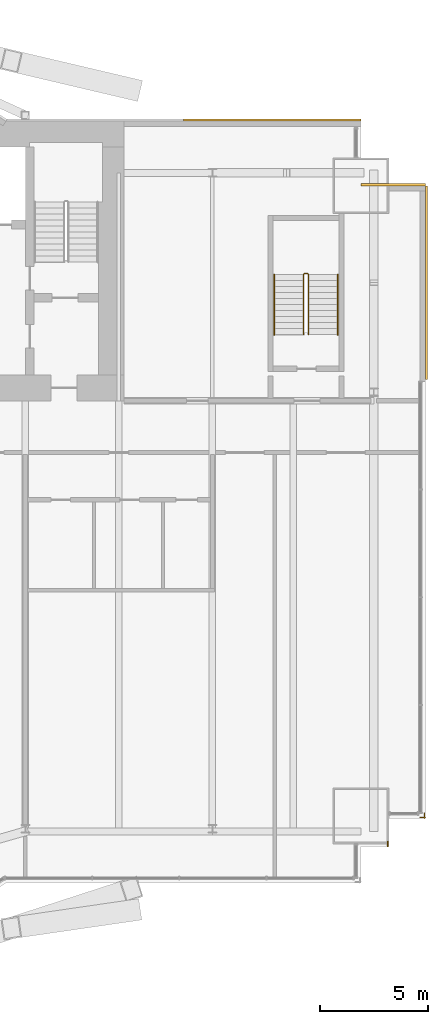
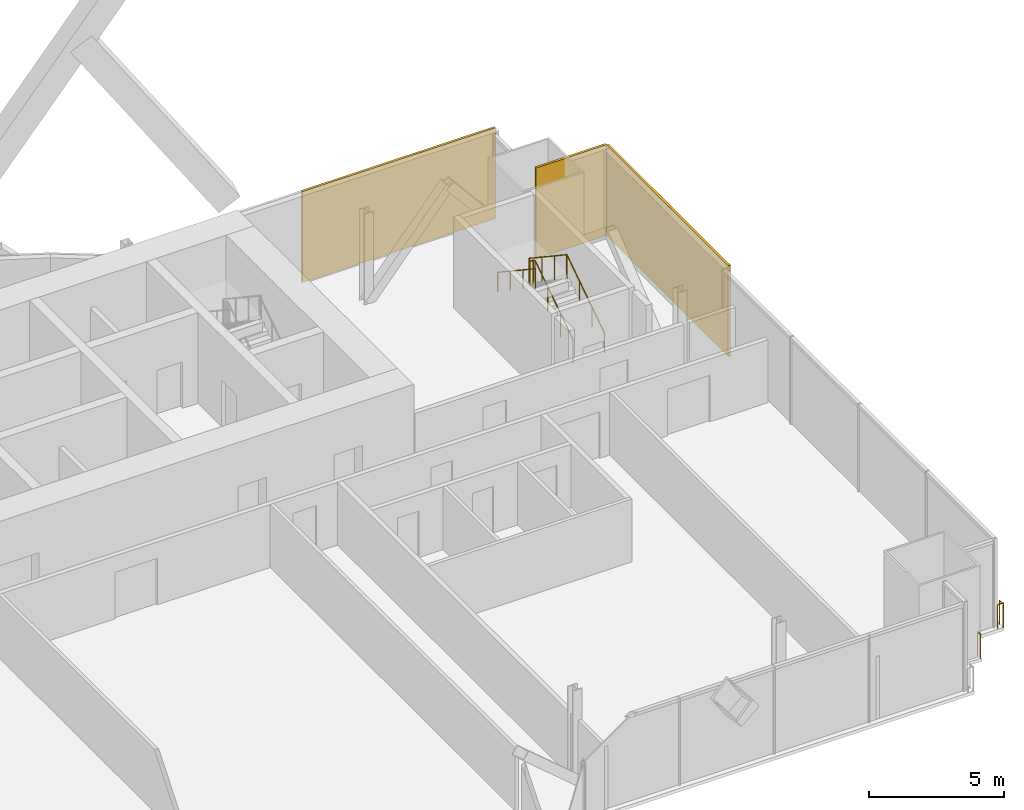
# One storey, part 23 of 23: 5 railings, 3 coverings.
"""IFC4 building model written with IfcOpenShell, lengths in metres."""

from ifc_helpers import new_model, si_unit, direction, frame, origin, origin_2d, place, context, subcontext, project, spatial, rectangle, circle, extrude, material, layer, layer_set, type_object, element, save


model = new_model("IFC4")

# Units and contexts
model_context = context("Model", 3, precision=1e-05, world=origin(), true_north=direction((0.0, 1.0)))
body_context = subcontext(model_context, "Body", "Model", "MODEL_VIEW")
ifc_project = project(units=[si_unit("LENGTHUNIT", "METRE"), si_unit("AREAUNIT", "SQUARE_METRE"), si_unit("VOLUMEUNIT", "CUBIC_METRE"), si_unit("PLANEANGLEUNIT", "RADIAN"), si_unit("MASSUNIT", "GRAM", prefix="KILO")], contexts=[model_context])

# Site, building, storey
site_placement = place(None, origin())
site = spatial("IfcSite", under=ifc_project, at=site_placement, CompositionType="ELEMENT")
building_placement = place(site_placement, origin())
building = spatial("IfcBuilding", under=site, at=building_placement, Name="Bicima Exchange Tower", CompositionType="ELEMENT")
storey_placement = place(building_placement, frame((0.0, 0.0, 152.699951171875)))
storey = spatial("IfcBuildingStorey", under=building, at=storey_placement, Name="L33", CompositionType="ELEMENT", Elevation=152.699951171875)

# Coverings
ifc_material_1 = material(Name="Bronze metal cladding")
ifc_layer_1 = layer(ifc_material_1, 0.004)
ifc_material_2 = material(Name="Ventilated cavity")
ifc_layer_2 = layer(ifc_material_2, 0.06)
ifc_material_3 = material(Name="Galvanised steel rail and mineral wool", Category="steel")
ifc_layer_3 = layer(ifc_material_3, 0.036)
ifc_layer_set = layer_set([ifc_layer_1, ifc_layer_2, ifc_layer_3], Name="Ventilated cavity")
covering_type = type_object("IfcCoveringType", Name="Bronze metal cladding panel 100", PredefinedType="CLADDING", material=ifc_layer_set)
covering_1_placement = place(storey_placement, frame((28.875, 0.050048828125, -0.14990234375), z_axis=(0.0, 0.0, 1.0), x_axis=(-1.0, 0.0, 0.0)))
element("IfcCovering", 1, at=covering_1_placement, inside=storey, type_object=covering_type, Name="Bronze cladding L33 1.1", PredefinedType="CLADDING", context=body_context, shape_type="SweptSolid", body=[
    extrude(rectangle(XDim=8.25, YDim=0.10009765625, at=origin_2d()), origin(), (0.0, 0.0, 1.0), 4.10009765625),
])
covering_2_placement = place(storey_placement, frame((36.050048828125, -7.5, -0.14990234375), z_axis=(0.0, 0.0, 1.0), x_axis=(0.0, 1.0, 0.0)))
element("IfcCovering", 2, at=covering_2_placement, inside=storey, type_object=covering_type, Name="Bronze cladding L33 50.1", PredefinedType="CLADDING", context=body_context, shape_type="SweptSolid", body=[
    extrude(rectangle(XDim=9.0, YDim=0.10009765625, at=origin_2d()), origin(), (0.0, 0.0, 1.0), 4.10009765625),
])
covering_3_placement = place(storey_placement, frame((34.5, -2.949951171875, -0.14990234375), z_axis=(0.0, 0.0, 1.0), x_axis=(-1.0, 0.0, 0.0)))
element("IfcCovering", 3, at=covering_3_placement, inside=storey, type_object=covering_type, Name="Bronze cladding L33 51.1", PredefinedType="CLADDING", context=body_context, shape_type="SweptSolid", body=[
    extrude(rectangle(XDim=3.0, YDim=0.10009765625, at=origin_2d()), origin(), (0.0, 0.0, 1.0), 4.10009765625),
])

# Railings
ifc_material_4 = material(Name="Stainless steel and bonded safety glass", Category="steel")
railing_type_1 = type_object("IfcRailingType", Name="Edge guard 1100", PredefinedType="GUARDRAIL", material=ifc_material_4)
railing_1_placement = place(storey_placement, frame((35.949951171875, -32.1630859375, 0.0)))
element("IfcRailing", 4, at=railing_1_placement, inside=storey, type_object=railing_type_1, Name="Edge guard L33 162", PredefinedType="GUARDRAIL", context=body_context, shape_type="SweptSolid", body=[
    extrude(circle(Radius=0.02392578125, at=origin_2d()), frame((0.0, 0.0, 1.076171875), z_axis=(0.0, -1.0, 0.0), x_axis=(1.0, 0.0, 0.0)), (0.0, 0.0, 1.0), 0.2490234375),
    extrude(circle(Radius=0.02392578125, at=origin_2d()), frame((0.0, -0.2490234375, 1.076171875), z_axis=(0.707106781187, 0.707106781187, 0.0), x_axis=(-0.707106781187, 0.707106781187, 0.0)), (0.0, 0.0, 1.0), 0.07080078125),
    extrude(circle(Radius=0.02392578125, at=origin_2d()), frame((0.050048828125, -0.198974609375, 1.076171875), z_axis=(-1.0, 0.0, 0.0), x_axis=(0.0, -1.0, 0.0)), (0.0, 0.0, 1.0), 0.242919921875),
    extrude(circle(Radius=0.02099609375, at=origin_2d()), origin(), (0.0, 0.0, 1.0), 1.052001953125),
    extrude(circle(Radius=0.02099609375, at=origin_2d()), frame((0.0, -0.2490234375, 0.0)), (0.0, 0.0, 1.0), 1.052001953125),
    extrude(circle(Radius=0.02099609375, at=origin_2d()), frame((0.050048828125, -0.198974609375, 0.0)), (0.0, 0.0, 1.0), 1.052001953125),
    extrude(circle(Radius=0.02099609375, at=origin_2d()), frame((-0.19287109375, -0.198974609375, 0.0)), (0.0, 0.0, 1.0), 1.052001953125),
])
railing_2_placement = place(storey_placement, frame((34.25, -33.4951171875, 0.0)))
element("IfcRailing", 5, at=railing_2_placement, inside=storey, type_object=railing_type_1, Name="Edge guard L33 163", PredefinedType="GUARDRAIL", context=body_context, shape_type="SweptSolid", body=[
    extrude(circle(Radius=0.02392578125, at=origin_2d()), frame((0.0, 0.0, 1.076171875), z_axis=(0.0, -1.0, 0.0), x_axis=(1.0, 0.0, 0.0)), (0.0, 0.0, 1.0), 0.216796875),
    extrude(circle(Radius=0.02099609375, at=origin_2d()), origin(), (0.0, 0.0, 1.0), 1.052001953125),
    extrude(circle(Radius=0.02099609375, at=origin_2d()), frame((0.0, -0.216796875, 0.0)), (0.0, 0.0, 1.0), 1.052001953125),
])
ifc_material_5 = material(Name="Stainless steel", Category="steel")
railing_type_2 = type_object("IfcRailingType", Name="Stair guard 1100", PredefinedType="GUARDRAIL", material=ifc_material_5)
railing_3_placement = place(storey_placement, frame((30.574951171875, -9.925048828125, 0.1865234375)))
element("IfcRailing", 6, at=railing_3_placement, inside=storey, type_object=railing_type_2, Name="L33 ST-EE stair guard 1", PredefinedType="GUARDRAIL", context=body_context, shape_type="SweptSolid", body=[
    extrude(circle(Radius=0.02392578125, at=origin_2d()), frame((0.0, 0.0, 1.076171875), z_axis=(0.0, 0.832485552168, 0.554046753832), x_axis=(-1.0, 0.0, 0.0)), (0.0, 0.0, 1.0), 3.363525390625),
    extrude(circle(Radius=0.02392578125, at=origin_2d()), frame((0.0, 2.800048828125, 2.939453125), z_axis=(-0.707106781187, 0.707106781187, 0.0), x_axis=(-0.707106781187, -0.707106781187, 0.0)), (0.0, 0.0, 1.0), 0.07080078125),
    extrude(circle(Radius=0.02392578125, at=origin_2d()), frame((-0.050048828125, 2.85009765625, 2.939453125), z_axis=(-1.0, 0.0, 0.0), x_axis=(0.0, -1.0, 0.0)), (0.0, 0.0, 1.0), 0.14990234375),
    extrude(circle(Radius=0.02392578125, at=origin_2d()), frame((-0.199951171875, 2.85009765625, 2.939453125), z_axis=(-0.251157038772, -0.251157038772, 0.934794246747), x_axis=(0.707106781187, -0.707106781187, 0.0)), (0.0, 0.0, 1.0), 0.19921875),
    extrude(circle(Radius=0.02392578125, at=origin_2d()), frame((-0.25, 2.800048828125, 3.1259765625), z_axis=(0.0, -0.832452072856, 0.554097055034), x_axis=(1.0, 0.0, 0.0)), (0.0, 0.0, 1.0), 3.363525390625),
    extrude(circle(Radius=0.02099609375, at=origin_2d()), origin(), (0.0, 0.0, 1.0), 1.052001953125),
    extrude(circle(Radius=0.02099609375, at=origin_2d()), frame((0.0, 0.933349609375, 0.62109375)), (0.0, 0.0, 1.0), 1.052001953125),
    extrude(circle(Radius=0.02099609375, at=origin_2d()), frame((0.0, 1.86669921875, 1.242431640625)), (0.0, 0.0, 1.0), 1.052001953125),
    extrude(circle(Radius=0.02099609375, at=origin_2d()), frame((0.0, 2.800048828125, 1.863525390625)), (0.0, 0.0, 1.0), 1.052001953125),
    extrude(circle(Radius=0.02099609375, at=origin_2d()), frame((-0.050048828125, 2.85009765625, 1.863525390625)), (0.0, 0.0, 1.0), 1.052001953125),
    extrude(circle(Radius=0.02099609375, at=origin_2d()), frame((-0.199951171875, 2.85009765625, 1.863525390625)), (0.0, 0.0, 1.0), 1.052001953125),
    extrude(circle(Radius=0.02099609375, at=origin_2d()), frame((-0.25, 2.800048828125, 2.0498046875)), (0.0, 0.0, 1.0), 1.052001953125),
    extrude(circle(Radius=0.02099609375, at=origin_2d()), frame((-0.25, 1.86669921875, 2.671142578125)), (0.0, 0.0, 1.0), 1.052001953125),
    extrude(circle(Radius=0.02099609375, at=origin_2d()), frame((-0.25, 0.933349609375, 3.292236328125)), (0.0, 0.0, 1.0), 1.052001953125),
    extrude(circle(Radius=0.02099609375, at=origin_2d()), frame((-0.25, 0.0, 3.91357421875)), (0.0, 0.0, 1.0), 1.052001953125),
])
railing_type_3 = type_object("IfcRailingType", Name="Stair handrail 900", PredefinedType="HANDRAIL", material=ifc_material_5)
railing_4_placement = place(storey_placement, frame((31.925048828125, -9.925048828125, 0.1865234375)))
element("IfcRailing", 7, at=railing_4_placement, inside=storey, type_object=railing_type_3, Name="L33 ST-EE stair handrail 1", PredefinedType="HANDRAIL", context=body_context, shape_type="SweptSolid", body=[
    extrude(circle(Radius=0.02392578125, at=origin_2d()), frame((0.0, 0.0, 0.8759765625), z_axis=(0.0, 0.832485552168, 0.554046753832), x_axis=(-1.0, 0.0, 0.0)), (0.0, 0.0, 1.0), 3.363525390625),
    extrude(circle(Radius=0.02099609375, at=origin_2d()), origin(), (0.0, 0.0, 1.0), 0.851806640625),
    extrude(circle(Radius=0.02099609375, at=origin_2d()), frame((0.0, 0.933349609375, 0.62109375)), (0.0, 0.0, 1.0), 0.851806640625),
    extrude(circle(Radius=0.02099609375, at=origin_2d()), frame((0.0, 1.86669921875, 1.242431640625)), (0.0, 0.0, 1.0), 0.851806640625),
    extrude(circle(Radius=0.02099609375, at=origin_2d()), frame((0.0, 2.800048828125, 1.863525390625)), (0.0, 0.0, 1.0), 0.851806640625),
])
railing_5_placement = place(storey_placement, frame((28.97509765625, -7.125, 2.27685546875)))
element("IfcRailing", 8, at=railing_5_placement, inside=storey, type_object=railing_type_3, Name="L33 ST-EE stair handrail 2", PredefinedType="HANDRAIL", context=body_context, shape_type="SweptSolid", body=[
    extrude(circle(Radius=0.02392578125, at=origin_2d()), frame((0.0, 0.0, 0.8759765625), z_axis=(0.0, -0.832485552168, 0.554046753832), x_axis=(1.0, 0.0, 0.0)), (0.0, 0.0, 1.0), 3.363525390625),
    extrude(circle(Radius=0.02099609375, at=origin_2d()), origin(), (0.0, 0.0, 1.0), 0.851806640625),
    extrude(circle(Radius=0.02099609375, at=origin_2d()), frame((0.0, -0.933349609375, 0.62109375)), (0.0, 0.0, 1.0), 0.851806640625),
    extrude(circle(Radius=0.02099609375, at=origin_2d()), frame((0.0, -1.86669921875, 1.242431640625)), (0.0, 0.0, 1.0), 0.851806640625),
    extrude(circle(Radius=0.02099609375, at=origin_2d()), frame((0.0, -2.800048828125, 1.863525390625)), (0.0, 0.0, 1.0), 0.851806640625),
])

save(model, "model.ifc")
